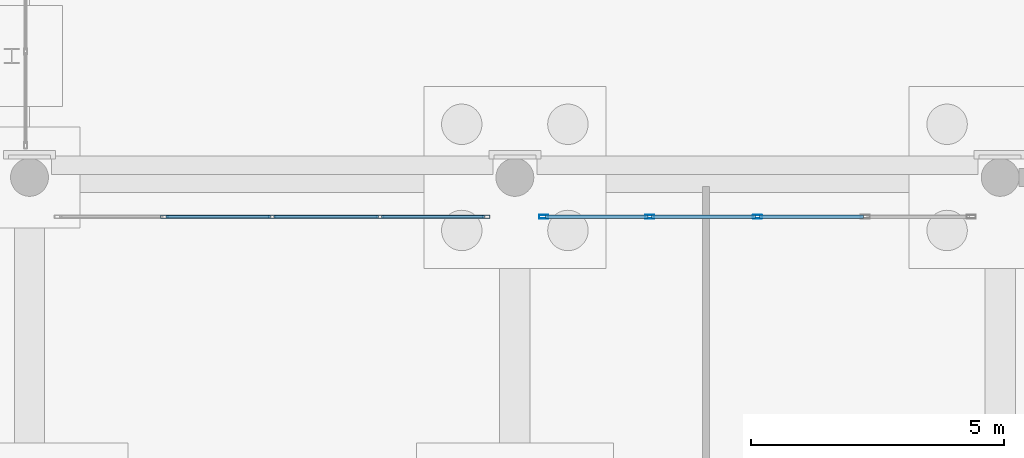
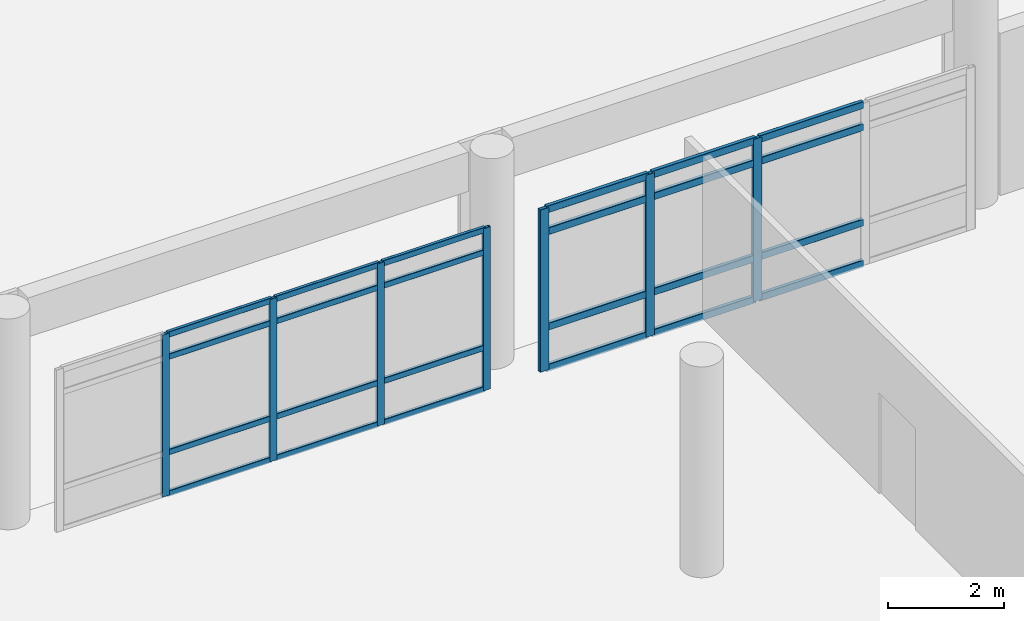
# One storey, part 131 of 196: 31 members, 2 elements without a shape of their own.
"""IFC4 building model written with IfcOpenShell, lengths in metres."""

from ifc_helpers import new_model, si_unit, direction, frame, origin, origin_2d, place, context, subcontext, project, spatial, hollow_rectangle, extrude, material, layer, layer_set, material_profile, profile_set, type_object, element, aggregate, save


model = new_model("IFC4")

# Units and contexts
model_context = context("Model", 3, precision=1e-05, world=origin(), true_north=direction((0.0, 1.0)))
body_context = subcontext(model_context, "Body", "Model", "MODEL_VIEW")
ifc_project = project(units=[si_unit("LENGTHUNIT", "METRE"), si_unit("AREAUNIT", "SQUARE_METRE"), si_unit("VOLUMEUNIT", "CUBIC_METRE"), si_unit("PLANEANGLEUNIT", "RADIAN"), si_unit("MASSUNIT", "GRAM", prefix="KILO")], contexts=[model_context])

# Site, building, storey
site_placement = place(None, origin())
site = spatial("IfcSite", under=ifc_project, at=site_placement, CompositionType="ELEMENT")
building_placement = place(site_placement, origin())
building = spatial("IfcBuilding", under=site, at=building_placement, Name="Asteropetra Specialist Clinic", CompositionType="ELEMENT")
storey_placement = place(building_placement, origin())
storey = spatial("IfcBuildingStorey", under=building, at=storey_placement, Name="L00", CompositionType="ELEMENT", Elevation=0.0)

# Curtain wall, members
ifc_material_1 = material(Name="Aluminium and low-E glass", Category="aluminium")
ifc_layer_1 = layer(ifc_material_1, 0.135009765625)
ifc_layer_set_1 = layer_set([ifc_layer_1], Name="Aluminium and low-E glass")
curtain_wall_type_1 = type_object("IfcCurtainWallType", Name="CW-SYS-09", PredefinedType="USERDEFINED", material=ifc_layer_set_1)
curtain_wall_1_placement = place(storey_placement, origin())
curtain_wall_1 = element("IfcCurtainWall", 1, at=curtain_wall_1_placement, inside=storey, type_object=curtain_wall_type_1, Name="Curtain Wall CW-193", ObjectType="STICK GLAZED COLONNADE", PredefinedType="USERDEFINED")
ifc_material_2 = material(Name="Aluminium 6063-T6", Category="aluminium")
ifc_material_profile_1 = material_profile(ifc_material_2, hollow_rectangle(XDim=0.06494140625, YDim=0.14990234375, WallThickness=0.00390625, InnerFilletRadius=0.00390625, OuterFilletRadius=0.008056640625, at=origin_2d()), Name="MUL 150x65x4.0")
ifc_profile_set_1 = profile_set([ifc_material_profile_1], Name="Aluminium 6063-T6")
member_type_1 = type_object("IfcMemberType", Name="CWM-150x65", PredefinedType="MULLION", material=ifc_profile_set_1)
member_1_placement = place(storey_placement, frame((133.83251953125, 61.6201171875, 0.0), z_axis=(0.0, 0.0, 1.0), x_axis=(0.0, -1.0, 0.0)))
member_1 = element("IfcMember", 2, at=member_1_placement, type_object=member_type_1, Name="CW-193 mullion 1", PredefinedType="MULLION", context=body_context, shape_type="SweptSolid", body=[
    extrude(hollow_rectangle(XDim=0.06494140625, YDim=0.14990234375, WallThickness=0.00390625, InnerFilletRadius=0.00390625, OuterFilletRadius=0.008056640625, at=origin_2d()), origin(), (0.0, 0.0, 1.0), 3.39990234375),
])
member_2_placement = place(storey_placement, frame((131.732421875, 61.6201171875, 0.0), z_axis=(0.0, 0.0, 1.0), x_axis=(0.0, -1.0, 0.0)))
member_2 = element("IfcMember", 3, at=member_2_placement, type_object=member_type_1, Name="CW-193 mullion 2", PredefinedType="MULLION", context=body_context, shape_type="SweptSolid", body=[
    extrude(hollow_rectangle(XDim=0.06494140625, YDim=0.14990234375, WallThickness=0.00390625, InnerFilletRadius=0.00390625, OuterFilletRadius=0.008056640625, at=origin_2d()), origin(), (0.0, 0.0, 1.0), 3.39990234375),
])
member_3_placement = place(storey_placement, frame((129.60009765625, 61.6201171875, 0.0), z_axis=(0.0, 0.0, 1.0), x_axis=(0.0, -1.0, 0.0)))
member_3 = element("IfcMember", 4, at=member_3_placement, type_object=member_type_1, Name="CW-193 mullion 3", PredefinedType="MULLION", context=body_context, shape_type="SweptSolid", body=[
    extrude(hollow_rectangle(XDim=0.06494140625, YDim=0.14990234375, WallThickness=0.00390625, InnerFilletRadius=0.00390625, OuterFilletRadius=0.008056640625, at=origin_2d()), origin(), (0.0, 0.0, 1.0), 3.39990234375),
])
member_4_placement = place(storey_placement, frame((127.467529296875, 61.6201171875, 0.0), z_axis=(0.0, 0.0, 1.0), x_axis=(0.0, -1.0, 0.0)))
member_4 = element("IfcMember", 5, at=member_4_placement, type_object=member_type_1, Name="CW-193 mullion 4", PredefinedType="MULLION", context=body_context, shape_type="SweptSolid", body=[
    extrude(hollow_rectangle(XDim=0.06494140625, YDim=0.14990234375, WallThickness=0.00390625, InnerFilletRadius=0.00390625, OuterFilletRadius=0.008056640625, at=origin_2d()), origin(), (0.0, 0.0, 1.0), 3.39990234375),
])

ifc_material_3 = material(Name="Aluminium and low-E glass", Category="aluminium")
ifc_layer_2 = layer(ifc_material_3, 0.14990234375)
ifc_layer_set_2 = layer_set([ifc_layer_2], Name="Aluminium and low-E glass")
curtain_wall_type_2 = type_object("IfcCurtainWallType", Name="CW-SYS-11", PredefinedType="USERDEFINED", material=ifc_layer_set_2)
curtain_wall_2_placement = place(storey_placement, origin())
curtain_wall_2 = element("IfcCurtainWall", 6, at=curtain_wall_2_placement, inside=storey, type_object=curtain_wall_type_2, Name="Curtain Wall CW-195", ObjectType="STICK GLAZED COLONNADE", PredefinedType="USERDEFINED")
ifc_material_4 = material(Name="Aluminium 6063-T6", Category="aluminium")
ifc_material_profile_2 = material_profile(ifc_material_4, hollow_rectangle(XDim=0.074951171875, YDim=0.179931640625, WallThickness=0.00390625, InnerFilletRadius=0.00390625, OuterFilletRadius=0.008056640625, at=origin_2d()), Name="MUL 180x75x4.0")
ifc_profile_set_2 = profile_set([ifc_material_profile_2], Name="Aluminium 6063-T6")
member_type_2 = type_object("IfcMemberType", Name="CWM-180x75", PredefinedType="MULLION", material=ifc_profile_set_2)
member_5_placement = place(storey_placement, frame((139.199951171875, 61.6201171875, 0.0), z_axis=(0.0, 0.0, 1.0), x_axis=(0.0, -1.0, 0.0)))
member_5 = element("IfcMember", 7, at=member_5_placement, type_object=member_type_2, Name="CW-195 mullion 3", PredefinedType="MULLION", context=body_context, shape_type="SweptSolid", body=[
    extrude(hollow_rectangle(XDim=0.074951171875, YDim=0.179931640625, WallThickness=0.00390625, InnerFilletRadius=0.00390625, OuterFilletRadius=0.008056640625, at=origin_2d()), origin(), (0.0, 0.0, 1.0), 3.39990234375),
])
member_6_placement = place(storey_placement, frame((137.0673828125, 61.6201171875, 0.0), z_axis=(0.0, 0.0, 1.0), x_axis=(0.0, -1.0, 0.0)))
member_6 = element("IfcMember", 8, at=member_6_placement, type_object=member_type_2, Name="CW-195 mullion 4", PredefinedType="MULLION", context=body_context, shape_type="SweptSolid", body=[
    extrude(hollow_rectangle(XDim=0.074951171875, YDim=0.179931640625, WallThickness=0.00390625, InnerFilletRadius=0.00390625, OuterFilletRadius=0.008056640625, at=origin_2d()), origin(), (0.0, 0.0, 1.0), 3.39990234375),
])
member_7_placement = place(storey_placement, frame((134.972412109375, 61.6201171875, 0.0), z_axis=(0.0, 0.0, 1.0), x_axis=(0.0, -1.0, 0.0)))
member_7 = element("IfcMember", 9, at=member_7_placement, type_object=member_type_2, Name="CW-195 mullion 5", PredefinedType="MULLION", context=body_context, shape_type="SweptSolid", body=[
    extrude(hollow_rectangle(XDim=0.074951171875, YDim=0.179931640625, WallThickness=0.00390625, InnerFilletRadius=0.00390625, OuterFilletRadius=0.008056640625, at=origin_2d()), origin(), (0.0, 0.0, 1.0), 3.39990234375),
])

# Member
ifc_material_5 = material(Name="Aluminium 6063-T6", Category="aluminium")
ifc_material_profile_3 = material_profile(ifc_material_5, hollow_rectangle(XDim=0.06494140625, YDim=0.1201171875, WallThickness=0.00390625, InnerFilletRadius=0.00390625, OuterFilletRadius=0.008056640625, at=origin_2d()), Name="TRN 120x65x4.0")
ifc_profile_set_3 = profile_set([ifc_material_profile_3], Name="Aluminium 6063-T6")
member_type_3 = type_object("IfcMemberType", Name="CWT-120x65", PredefinedType="USERDEFINED", material=ifc_profile_set_3)
member_8_placement = place(storey_placement, frame((133.800048828125, 61.6201171875, 0.032470703125), z_axis=(-1.0, 0.0, 0.0), x_axis=(0.0, -1.0, 0.0)))
member_8 = element("IfcMember", 10, at=member_8_placement, type_object=member_type_3, Name="CW-193 transom 1.1", ObjectType="TRANSOM", PredefinedType="USERDEFINED", context=body_context, shape_type="SweptSolid", body=[
    extrude(hollow_rectangle(XDim=0.06494140625, YDim=0.1201171875, WallThickness=0.00390625, InnerFilletRadius=0.00390625, OuterFilletRadius=0.008056640625, at=origin_2d()), origin(), (0.0, 0.0, 1.0), 2.03515625),
])

member_9_placement = place(storey_placement, frame((133.800048828125, 61.6201171875, 0.89990234375), z_axis=(-1.0, 0.0, 0.0), x_axis=(0.0, -1.0, 0.0)))
member_9 = element("IfcMember", 11, at=member_9_placement, type_object=member_type_3, Name="CW-193 transom 1.2", ObjectType="TRANSOM", PredefinedType="USERDEFINED", context=body_context, shape_type="SweptSolid", body=[
    extrude(hollow_rectangle(XDim=0.06494140625, YDim=0.1201171875, WallThickness=0.00390625, InnerFilletRadius=0.00390625, OuterFilletRadius=0.008056640625, at=origin_2d()), origin(), (0.0, 0.0, 1.0), 2.03515625),
])

member_10_placement = place(storey_placement, frame((133.800048828125, 61.6201171875, 2.89990234375), z_axis=(-1.0, 0.0, 0.0), x_axis=(0.0, -1.0, 0.0)))
member_10 = element("IfcMember", 12, at=member_10_placement, type_object=member_type_3, Name="CW-193 transom 1.3", ObjectType="TRANSOM", PredefinedType="USERDEFINED", context=body_context, shape_type="SweptSolid", body=[
    extrude(hollow_rectangle(XDim=0.06494140625, YDim=0.1201171875, WallThickness=0.00390625, InnerFilletRadius=0.00390625, OuterFilletRadius=0.008056640625, at=origin_2d()), origin(), (0.0, 0.0, 1.0), 2.03515625),
])

member_11_placement = place(storey_placement, frame((133.800048828125, 61.6201171875, 3.367431640625), z_axis=(-1.0, 0.0, 0.0), x_axis=(0.0, -1.0, 0.0)))
member_11 = element("IfcMember", 13, at=member_11_placement, type_object=member_type_3, Name="CW-193 transom 1.4", ObjectType="TRANSOM", PredefinedType="USERDEFINED", context=body_context, shape_type="SweptSolid", body=[
    extrude(hollow_rectangle(XDim=0.06494140625, YDim=0.1201171875, WallThickness=0.00390625, InnerFilletRadius=0.00390625, OuterFilletRadius=0.008056640625, at=origin_2d()), origin(), (0.0, 0.0, 1.0), 2.03515625),
])

member_12_placement = place(storey_placement, frame((131.699951171875, 61.6201171875, 0.032470703125), z_axis=(-1.0, 0.0, 0.0), x_axis=(0.0, -1.0, 0.0)))
member_12 = element("IfcMember", 14, at=member_12_placement, type_object=member_type_3, Name="CW-193 transom 2.1", ObjectType="TRANSOM", PredefinedType="USERDEFINED", context=body_context, shape_type="SweptSolid", body=[
    extrude(hollow_rectangle(XDim=0.06494140625, YDim=0.1201171875, WallThickness=0.00390625, InnerFilletRadius=0.00390625, OuterFilletRadius=0.008056640625, at=origin_2d()), origin(), (0.0, 0.0, 1.0), 2.0673828125),
])

member_13_placement = place(storey_placement, frame((131.699951171875, 61.6201171875, 0.89990234375), z_axis=(-1.0, 0.0, 0.0), x_axis=(0.0, -1.0, 0.0)))
member_13 = element("IfcMember", 15, at=member_13_placement, type_object=member_type_3, Name="CW-193 transom 2.2", ObjectType="TRANSOM", PredefinedType="USERDEFINED", context=body_context, shape_type="SweptSolid", body=[
    extrude(hollow_rectangle(XDim=0.06494140625, YDim=0.1201171875, WallThickness=0.00390625, InnerFilletRadius=0.00390625, OuterFilletRadius=0.008056640625, at=origin_2d()), origin(), (0.0, 0.0, 1.0), 2.0673828125),
])

member_14_placement = place(storey_placement, frame((131.699951171875, 61.6201171875, 2.89990234375), z_axis=(-1.0, 0.0, 0.0), x_axis=(0.0, -1.0, 0.0)))
member_14 = element("IfcMember", 16, at=member_14_placement, type_object=member_type_3, Name="CW-193 transom 2.3", ObjectType="TRANSOM", PredefinedType="USERDEFINED", context=body_context, shape_type="SweptSolid", body=[
    extrude(hollow_rectangle(XDim=0.06494140625, YDim=0.1201171875, WallThickness=0.00390625, InnerFilletRadius=0.00390625, OuterFilletRadius=0.008056640625, at=origin_2d()), origin(), (0.0, 0.0, 1.0), 2.0673828125),
])

member_15_placement = place(storey_placement, frame((131.699951171875, 61.6201171875, 3.367431640625), z_axis=(-1.0, 0.0, 0.0), x_axis=(0.0, -1.0, 0.0)))
member_15 = element("IfcMember", 17, at=member_15_placement, type_object=member_type_3, Name="CW-193 transom 2.4", ObjectType="TRANSOM", PredefinedType="USERDEFINED", context=body_context, shape_type="SweptSolid", body=[
    extrude(hollow_rectangle(XDim=0.06494140625, YDim=0.1201171875, WallThickness=0.00390625, InnerFilletRadius=0.00390625, OuterFilletRadius=0.008056640625, at=origin_2d()), origin(), (0.0, 0.0, 1.0), 2.0673828125),
])

member_16_placement = place(storey_placement, frame((129.5673828125, 61.6201171875, 0.032470703125), z_axis=(-1.0, 0.0, 0.0), x_axis=(0.0, -1.0, 0.0)))
member_16 = element("IfcMember", 18, at=member_16_placement, type_object=member_type_3, Name="CW-193 transom 3.1", ObjectType="TRANSOM", PredefinedType="USERDEFINED", context=body_context, shape_type="SweptSolid", body=[
    extrude(hollow_rectangle(XDim=0.06494140625, YDim=0.1201171875, WallThickness=0.00390625, InnerFilletRadius=0.00390625, OuterFilletRadius=0.008056640625, at=origin_2d()), origin(), (0.0, 0.0, 1.0), 2.0673828125),
])

member_17_placement = place(storey_placement, frame((129.5673828125, 61.6201171875, 0.89990234375), z_axis=(-1.0, 0.0, 0.0), x_axis=(0.0, -1.0, 0.0)))
member_17 = element("IfcMember", 19, at=member_17_placement, type_object=member_type_3, Name="CW-193 transom 3.2", ObjectType="TRANSOM", PredefinedType="USERDEFINED", context=body_context, shape_type="SweptSolid", body=[
    extrude(hollow_rectangle(XDim=0.06494140625, YDim=0.1201171875, WallThickness=0.00390625, InnerFilletRadius=0.00390625, OuterFilletRadius=0.008056640625, at=origin_2d()), origin(), (0.0, 0.0, 1.0), 2.0673828125),
])

member_18_placement = place(storey_placement, frame((129.5673828125, 61.6201171875, 2.89990234375), z_axis=(-1.0, 0.0, 0.0), x_axis=(0.0, -1.0, 0.0)))
member_18 = element("IfcMember", 20, at=member_18_placement, type_object=member_type_3, Name="CW-193 transom 3.3", ObjectType="TRANSOM", PredefinedType="USERDEFINED", context=body_context, shape_type="SweptSolid", body=[
    extrude(hollow_rectangle(XDim=0.06494140625, YDim=0.1201171875, WallThickness=0.00390625, InnerFilletRadius=0.00390625, OuterFilletRadius=0.008056640625, at=origin_2d()), origin(), (0.0, 0.0, 1.0), 2.0673828125),
])

member_19_placement = place(storey_placement, frame((129.5673828125, 61.6201171875, 3.367431640625), z_axis=(-1.0, 0.0, 0.0), x_axis=(0.0, -1.0, 0.0)))
member_19 = element("IfcMember", 21, at=member_19_placement, type_object=member_type_3, Name="CW-193 transom 3.4", ObjectType="TRANSOM", PredefinedType="USERDEFINED", context=body_context, shape_type="SweptSolid", body=[
    extrude(hollow_rectangle(XDim=0.06494140625, YDim=0.1201171875, WallThickness=0.00390625, InnerFilletRadius=0.00390625, OuterFilletRadius=0.008056640625, at=origin_2d()), origin(), (0.0, 0.0, 1.0), 2.0673828125),
])

aggregate(curtain_wall_1, [member_1, member_2, member_3, member_4, member_8, member_9, member_10, member_11, member_12, member_13, member_14, member_15, member_16, member_17, member_18, member_19])

ifc_material_6 = material(Name="Aluminium 6063-T6", Category="aluminium")
ifc_material_profile_4 = material_profile(ifc_material_6, hollow_rectangle(XDim=0.074951171875, YDim=0.14990234375, WallThickness=0.00390625, InnerFilletRadius=0.00390625, OuterFilletRadius=0.008056640625, at=origin_2d()), Name="TRN 150x75x4.0")
ifc_profile_set_4 = profile_set([ifc_material_profile_4], Name="Aluminium 6063-T6")
member_type_4 = type_object("IfcMemberType", Name="CWT-150x75", PredefinedType="USERDEFINED", material=ifc_profile_set_4)
member_20_placement = place(storey_placement, frame((141.294921875, 61.6201171875, 0.03759765625), z_axis=(-1.0, 0.0, 0.0), x_axis=(0.0, -1.0, 0.0)))
member_20 = element("IfcMember", 22, at=member_20_placement, type_object=member_type_4, Name="CW-195 transom 2.1", ObjectType="TRANSOM", PredefinedType="USERDEFINED", context=body_context, shape_type="SweptSolid", body=[
    extrude(hollow_rectangle(XDim=0.074951171875, YDim=0.14990234375, WallThickness=0.00390625, InnerFilletRadius=0.00390625, OuterFilletRadius=0.008056640625, at=origin_2d()), origin(), (0.0, 0.0, 1.0), 2.057373046875),
])

member_21_placement = place(storey_placement, frame((141.294921875, 61.6201171875, 0.89990234375), z_axis=(-1.0, 0.0, 0.0), x_axis=(0.0, -1.0, 0.0)))
member_21 = element("IfcMember", 23, at=member_21_placement, type_object=member_type_4, Name="CW-195 transom 2.2", ObjectType="TRANSOM", PredefinedType="USERDEFINED", context=body_context, shape_type="SweptSolid", body=[
    extrude(hollow_rectangle(XDim=0.074951171875, YDim=0.14990234375, WallThickness=0.00390625, InnerFilletRadius=0.00390625, OuterFilletRadius=0.008056640625, at=origin_2d()), origin(), (0.0, 0.0, 1.0), 2.057373046875),
])

member_22_placement = place(storey_placement, frame((141.294921875, 61.6201171875, 2.89990234375), z_axis=(-1.0, 0.0, 0.0), x_axis=(0.0, -1.0, 0.0)))
member_22 = element("IfcMember", 24, at=member_22_placement, type_object=member_type_4, Name="CW-195 transom 2.3", ObjectType="TRANSOM", PredefinedType="USERDEFINED", context=body_context, shape_type="SweptSolid", body=[
    extrude(hollow_rectangle(XDim=0.074951171875, YDim=0.14990234375, WallThickness=0.00390625, InnerFilletRadius=0.00390625, OuterFilletRadius=0.008056640625, at=origin_2d()), origin(), (0.0, 0.0, 1.0), 2.057373046875),
])

member_23_placement = place(storey_placement, frame((141.294921875, 61.6201171875, 3.362548828125), z_axis=(-1.0, 0.0, 0.0), x_axis=(0.0, -1.0, 0.0)))
member_23 = element("IfcMember", 25, at=member_23_placement, type_object=member_type_4, Name="CW-195 transom 2.4", ObjectType="TRANSOM", PredefinedType="USERDEFINED", context=body_context, shape_type="SweptSolid", body=[
    extrude(hollow_rectangle(XDim=0.074951171875, YDim=0.14990234375, WallThickness=0.00390625, InnerFilletRadius=0.00390625, OuterFilletRadius=0.008056640625, at=origin_2d()), origin(), (0.0, 0.0, 1.0), 2.057373046875),
])

member_24_placement = place(storey_placement, frame((139.16259765625, 61.6201171875, 0.03759765625), z_axis=(-1.0, 0.0, 0.0), x_axis=(0.0, -1.0, 0.0)))
member_24 = element("IfcMember", 26, at=member_24_placement, type_object=member_type_4, Name="CW-195 transom 3.1", ObjectType="TRANSOM", PredefinedType="USERDEFINED", context=body_context, shape_type="SweptSolid", body=[
    extrude(hollow_rectangle(XDim=0.074951171875, YDim=0.14990234375, WallThickness=0.00390625, InnerFilletRadius=0.00390625, OuterFilletRadius=0.008056640625, at=origin_2d()), origin(), (0.0, 0.0, 1.0), 2.0576171875),
])

member_25_placement = place(storey_placement, frame((139.16259765625, 61.6201171875, 0.89990234375), z_axis=(-1.0, 0.0, 0.0), x_axis=(0.0, -1.0, 0.0)))
member_25 = element("IfcMember", 27, at=member_25_placement, type_object=member_type_4, Name="CW-195 transom 3.2", ObjectType="TRANSOM", PredefinedType="USERDEFINED", context=body_context, shape_type="SweptSolid", body=[
    extrude(hollow_rectangle(XDim=0.074951171875, YDim=0.14990234375, WallThickness=0.00390625, InnerFilletRadius=0.00390625, OuterFilletRadius=0.008056640625, at=origin_2d()), origin(), (0.0, 0.0, 1.0), 2.0576171875),
])

member_26_placement = place(storey_placement, frame((139.16259765625, 61.6201171875, 2.89990234375), z_axis=(-1.0, 0.0, 0.0), x_axis=(0.0, -1.0, 0.0)))
member_26 = element("IfcMember", 28, at=member_26_placement, type_object=member_type_4, Name="CW-195 transom 3.3", ObjectType="TRANSOM", PredefinedType="USERDEFINED", context=body_context, shape_type="SweptSolid", body=[
    extrude(hollow_rectangle(XDim=0.074951171875, YDim=0.14990234375, WallThickness=0.00390625, InnerFilletRadius=0.00390625, OuterFilletRadius=0.008056640625, at=origin_2d()), origin(), (0.0, 0.0, 1.0), 2.0576171875),
])

member_27_placement = place(storey_placement, frame((139.16259765625, 61.6201171875, 3.362548828125), z_axis=(-1.0, 0.0, 0.0), x_axis=(0.0, -1.0, 0.0)))
member_27 = element("IfcMember", 29, at=member_27_placement, type_object=member_type_4, Name="CW-195 transom 3.4", ObjectType="TRANSOM", PredefinedType="USERDEFINED", context=body_context, shape_type="SweptSolid", body=[
    extrude(hollow_rectangle(XDim=0.074951171875, YDim=0.14990234375, WallThickness=0.00390625, InnerFilletRadius=0.00390625, OuterFilletRadius=0.008056640625, at=origin_2d()), origin(), (0.0, 0.0, 1.0), 2.0576171875),
])

member_28_placement = place(storey_placement, frame((137.030029296875, 61.6201171875, 0.03759765625), z_axis=(-1.0, 0.0, 0.0), x_axis=(0.0, -1.0, 0.0)))
member_28 = element("IfcMember", 30, at=member_28_placement, type_object=member_type_4, Name="CW-195 transom 4.1", ObjectType="TRANSOM", PredefinedType="USERDEFINED", context=body_context, shape_type="SweptSolid", body=[
    extrude(hollow_rectangle(XDim=0.074951171875, YDim=0.14990234375, WallThickness=0.00390625, InnerFilletRadius=0.00390625, OuterFilletRadius=0.008056640625, at=origin_2d()), origin(), (0.0, 0.0, 1.0), 2.02001953125),
])

member_29_placement = place(storey_placement, frame((137.030029296875, 61.6201171875, 0.89990234375), z_axis=(-1.0, 0.0, 0.0), x_axis=(0.0, -1.0, 0.0)))
member_29 = element("IfcMember", 31, at=member_29_placement, type_object=member_type_4, Name="CW-195 transom 4.2", ObjectType="TRANSOM", PredefinedType="USERDEFINED", context=body_context, shape_type="SweptSolid", body=[
    extrude(hollow_rectangle(XDim=0.074951171875, YDim=0.14990234375, WallThickness=0.00390625, InnerFilletRadius=0.00390625, OuterFilletRadius=0.008056640625, at=origin_2d()), origin(), (0.0, 0.0, 1.0), 2.02001953125),
])

member_30_placement = place(storey_placement, frame((137.030029296875, 61.6201171875, 2.89990234375), z_axis=(-1.0, 0.0, 0.0), x_axis=(0.0, -1.0, 0.0)))
member_30 = element("IfcMember", 32, at=member_30_placement, type_object=member_type_4, Name="CW-195 transom 4.3", ObjectType="TRANSOM", PredefinedType="USERDEFINED", context=body_context, shape_type="SweptSolid", body=[
    extrude(hollow_rectangle(XDim=0.074951171875, YDim=0.14990234375, WallThickness=0.00390625, InnerFilletRadius=0.00390625, OuterFilletRadius=0.008056640625, at=origin_2d()), origin(), (0.0, 0.0, 1.0), 2.02001953125),
])

member_31_placement = place(storey_placement, frame((137.030029296875, 61.6201171875, 3.362548828125), z_axis=(-1.0, 0.0, 0.0), x_axis=(0.0, -1.0, 0.0)))
member_31 = element("IfcMember", 33, at=member_31_placement, type_object=member_type_4, Name="CW-195 transom 4.4", ObjectType="TRANSOM", PredefinedType="USERDEFINED", context=body_context, shape_type="SweptSolid", body=[
    extrude(hollow_rectangle(XDim=0.074951171875, YDim=0.14990234375, WallThickness=0.00390625, InnerFilletRadius=0.00390625, OuterFilletRadius=0.008056640625, at=origin_2d()), origin(), (0.0, 0.0, 1.0), 2.02001953125),
])

aggregate(curtain_wall_2, [member_5, member_6, member_7, member_20, member_21, member_22, member_23, member_24, member_25, member_26, member_27, member_28, member_29, member_30, member_31])

save(model, "model.ifc")
